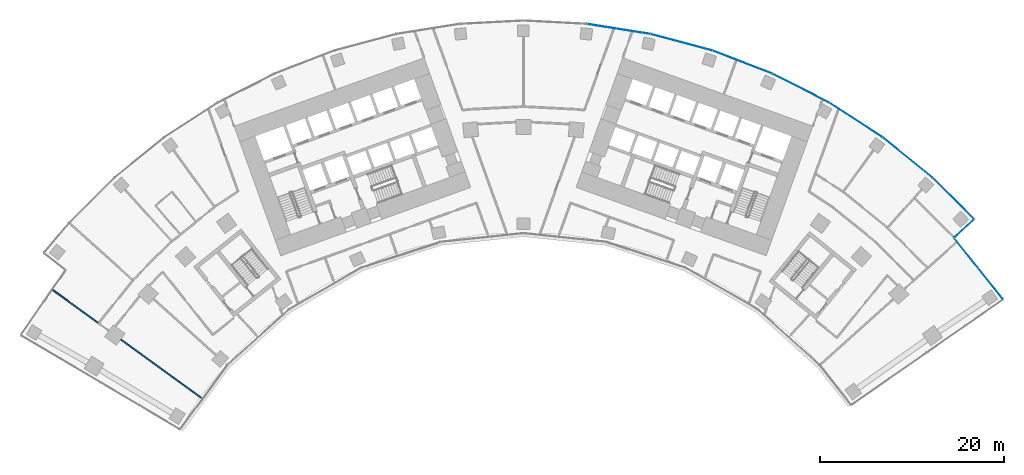
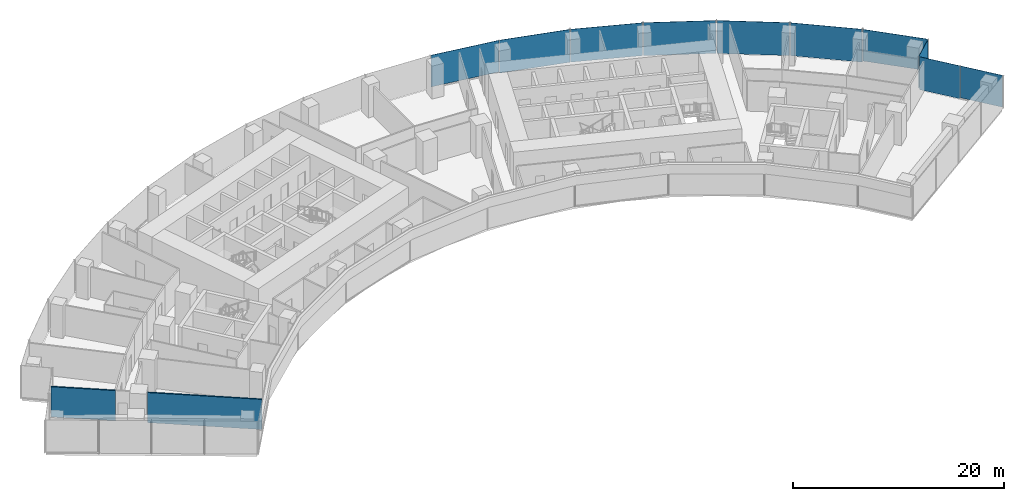
# One storey, part 13 of 21: 10 plates, 2 walls, 3 elements without a shape of their own.
"""IFC4 building model written with IfcOpenShell, lengths in metres."""

import ifcopenshell
import ifcopenshell.guid

model = None  # the IFC model being written
_history = None  # IfcOwnerHistory: only IFC2X3 demands one
_inside = {}  # id of a spatial element -> (the spatial element, [elements in it])
_under = {}  # id of a project, library or spatial element -> (it, [spatial elements below it])
_declared = {}  # id of a project -> (the project, [libraries it declares])
_typed = {}  # id of a type object -> (the type object, [elements of that type])
_made_of = {}  # id of a material, layer set ... -> (it, [elements and type objects made of it])


def new_model(schema):
    """Start an empty IFC model of exactly this schema.

    Asked for "IFC4X3", IfcOpenShell would pick the latest addendum, in which some entities
    have other attributes; the version numbers below select the first issue.
    IFC2X3 requires an IfcOwnerHistory on every rooted entity: one is made here for all.
    """
    global model, _history
    if schema == "IFC4X3":
        model = ifcopenshell.file(schema_version=(4, 3, 0, 0))
    else:
        model = ifcopenshell.file(schema=schema)
    _inside.clear()
    _under.clear()
    _declared.clear()
    _typed.clear()
    _made_of.clear()
    _history = None
    if model.schema == "IFC2X3":
        org = make("IfcOrganization", Name="unknown")
        user = make(
            "IfcPersonAndOrganization",
            ThePerson=make("IfcPerson", FamilyName="unknown"),
            TheOrganization=org,
        )
        app = make(
            "IfcApplication",
            ApplicationDeveloper=org,
            Version="unknown",
            ApplicationFullName="unknown",
            ApplicationIdentifier="unknown",
        )
        _history = make(
            "IfcOwnerHistory",
            OwningUser=user,
            OwningApplication=app,
            ChangeAction="ADDED",
            CreationDate=0,
        )
    return model


def make(cls, **values):
    """One entity of the class cls with the attributes given. An attribute that is None is left unset."""
    return model.create_entity(
        cls, **{name: value for name, value in values.items() if value is not None}
    )


def rooted(cls, **values):
    """An entity with a GlobalId (a new one), such as an element, a storey or a relation."""
    return make(cls, GlobalId=ifcopenshell.guid.new(), OwnerHistory=_history, **values)


def si_unit(unit_type, name, prefix=None):
    """IfcSIUnit, for example si_unit("LENGTHUNIT", "METRE", prefix="MILLI")."""
    return make("IfcSIUnit", UnitType=unit_type, Prefix=prefix, Name=name)


def assignment(units):
    """IfcUnitAssignment: the units of a project."""
    return None if units is None else make("IfcUnitAssignment", Units=units)


def point(xyz):
    """IfcCartesianPoint."""
    return None if xyz is None else make("IfcCartesianPoint", Coordinates=xyz)


def direction(xyz):
    """IfcDirection."""
    return None if xyz is None else make("IfcDirection", DirectionRatios=xyz)


def frame(location, z_axis=None, x_axis=None):
    """IfcAxis2Placement3D, a coordinate frame: its origin and axes. An axis left out is left unset."""
    return make(
        "IfcAxis2Placement3D",
        Location=point(location),
        Axis=direction(z_axis),
        RefDirection=direction(x_axis),
    )


def frame_2d(location, x_axis=None):
    """IfcAxis2Placement2D, a coordinate frame in the plane: its origin and x axis."""
    return make(
        "IfcAxis2Placement2D", Location=point(location), RefDirection=direction(x_axis)
    )


def origin():
    """The frame at (0, 0, 0) with its axes left unset."""
    return frame((0.0, 0.0, 0.0))


def origin_2d():
    """The frame at (0, 0) in the plane with its x axis left unset."""
    return frame_2d((0.0, 0.0))


def place(relative_to, where):
    """IfcLocalPlacement: puts the frame where relative to a parent placement (None: the world)."""
    return make(
        "IfcLocalPlacement", PlacementRelTo=relative_to, RelativePlacement=where
    )


def context(
    kind, dimensions, precision=None, world=None, true_north=None, identifier=None
):
    """IfcGeometricRepresentationContext, for example the 3D "Model" context."""
    return make(
        "IfcGeometricRepresentationContext",
        ContextIdentifier=identifier,
        ContextType=kind,
        CoordinateSpaceDimension=dimensions,
        Precision=precision,
        WorldCoordinateSystem=world,
        TrueNorth=true_north,
    )


def subcontext(parent, identifier, kind, view, scale=None):
    """IfcGeometricRepresentationSubContext, for example "Body" below "Model"."""
    return make(
        "IfcGeometricRepresentationSubContext",
        ContextIdentifier=identifier,
        ContextType=kind,
        ParentContext=parent,
        TargetScale=scale,
        TargetView=view,
    )


def project(units=None, contexts=None):
    """IfcProject with its units and contexts."""
    return rooted(
        "IfcProject",
        Name="project",
        RepresentationContexts=contexts,
        UnitsInContext=assignment(units),
    )


def spatial(cls, under=None, at=None, **own):
    """A site, building, storey or space (cls), placed at a placement, below another one or the project."""
    s = rooted(cls, ObjectPlacement=at, **own)
    if under is not None:
        _under.setdefault(under.id(), (under, []))[1].append(s)
    return s


def profile(cls, at=None, kind="AREA", **sizes):
    """A parametric profile (cls). Its sizes go by their IFC names, for example OverallWidth=200.0."""
    return make(cls, ProfileType=kind, Position=at, **sizes)


def rectangle(**sizes):
    """IfcRectangleProfileDef."""
    return profile("IfcRectangleProfileDef", **sizes)


def extrude(swept, where, along, depth):
    """IfcExtrudedAreaSolid: the profile swept, set in the frame where, extruded along a direction by depth."""
    return make(
        "IfcExtrudedAreaSolid",
        SweptArea=swept,
        Position=where,
        ExtrudedDirection=direction(along),
        Depth=depth,
    )


def shape(context_of_items, identifier, shape_type, items):
    """IfcShapeRepresentation: the items that make up one representation, for example the "Body"."""
    return make(
        "IfcShapeRepresentation",
        ContextOfItems=context_of_items,
        RepresentationIdentifier=identifier,
        RepresentationType=shape_type,
        Items=items,
    )


def material(Name=None, Category=None):
    """IfcMaterial."""
    return make("IfcMaterial", Name=Name, Category=Category)


def layer(
    of_material, thickness, ventilated=None, Name=None, Category=None, Priority=None
):
    """IfcMaterialLayer: one layer of a wall or slab, of a material (None: an air gap)."""
    return make(
        "IfcMaterialLayer",
        Material=of_material,
        LayerThickness=thickness,
        IsVentilated=ventilated,
        Name=Name,
        Category=Category,
        Priority=Priority,
    )


def layer_set(layers, Name=None):
    """IfcMaterialLayerSet."""
    return make("IfcMaterialLayerSet", MaterialLayers=layers, LayerSetName=Name)


def made_of(thing, what):
    """Note that an element or type object is made of a material, layer set ...; save() writes the relation."""
    if what is not None:
        _made_of.setdefault(what.id(), (what, []))[1].append(thing)
    return thing


def type_object(cls, material=None, **own):
    """A type object (cls), such as IfcWallType, which elements share."""
    return made_of(rooted(cls, **own), material)


def element(
    cls,
    number,
    at=None,
    inside=None,
    cuts=None,
    type_object=None,
    material=None,
    context=None,
    identifier="Body",
    shape_type=None,
    held_by="IfcProductDefinitionShape",
    body=None,
    shapes=None,
    **own,
):
    """One element of the class cls, such as IfcWall. Its Tag is "e" and its number.

    at: its placement. inside: the storey or other place that contains it. cuts: it is an
    opening in that element (IfcRelVoidsElement). A single representation is given by context,
    identifier, shape_type and body (its items); several are given by shapes. held_by: the class
    of the entity that holds the representations. save() writes the other relations.
    """
    e = rooted(cls, Tag="e%d" % number, ObjectPlacement=at, **own)
    if body is not None:
        shapes = [shape(context, identifier, shape_type, body)]
    if shapes is not None:
        e.Representation = make(held_by, Representations=shapes)
    if inside is not None:
        _inside.setdefault(inside.id(), (inside, []))[1].append(e)
    if cuts is not None:
        rooted(
            "IfcRelVoidsElement", RelatingBuildingElement=cuts, RelatedOpeningElement=e
        )
    if type_object is not None:
        _typed.setdefault(type_object.id(), (type_object, []))[1].append(e)
    return made_of(e, material)


def aggregate(whole, parts):
    """IfcRelAggregates: a whole, such as a stair, and the parts it consists of."""
    return rooted("IfcRelAggregates", RelatingObject=whole, RelatedObjects=parts)


def save(model, path):
    """Write the relations noted so far, then the file.

    IfcRelAggregates (storeys below a building ...), IfcRelContainedInSpatialStructure (elements
    in a storey), IfcRelDefinesByType, IfcRelAssociatesMaterial and IfcRelDeclares: one each for
    every whole, place, type object, material and project.
    """
    for whole, parts in _under.values():
        aggregate(whole, parts)
    for where, things in _inside.values():
        rooted(
            "IfcRelContainedInSpatialStructure",
            RelatedElements=things,
            RelatingStructure=where,
        )
    for kind, things in _typed.values():
        rooted("IfcRelDefinesByType", RelatedObjects=things, RelatingType=kind)
    for what, things in _made_of.values():
        rooted("IfcRelAssociatesMaterial", RelatedObjects=things, RelatingMaterial=what)
    for by, libraries in _declared.values():
        rooted("IfcRelDeclares", RelatingContext=by, RelatedDefinitions=libraries)
    model.write(path)


model = new_model("IFC4")

# Units and contexts
model_context = context("Model", 3, precision=1e-05, world=origin(), true_north=direction((0.0, 1.0)))
body_context = subcontext(model_context, "Body", "Model", "MODEL_VIEW")
ifc_project = project(units=[si_unit("LENGTHUNIT", "METRE"), si_unit("AREAUNIT", "SQUARE_METRE"), si_unit("VOLUMEUNIT", "CUBIC_METRE"), si_unit("PLANEANGLEUNIT", "RADIAN"), si_unit("MASSUNIT", "GRAM", prefix="KILO")], contexts=[model_context])

# Site, building, storey
site_placement = place(None, origin())
site = spatial("IfcSite", under=ifc_project, at=site_placement, CompositionType="ELEMENT")
building_placement = place(site_placement, origin())
building = spatial("IfcBuilding", under=site, at=building_placement, Name="Stone Belt Terrace Tower", CompositionType="ELEMENT")
storey_placement = place(building_placement, frame((0.0, 0.0, 60.39990234375)))
storey = spatial("IfcBuildingStorey", under=building, at=storey_placement, Name="L14", CompositionType="ELEMENT", Elevation=60.39990234375)

# Curtain wall, plates
ifc_material_1 = material(Name="Aluminium 6063-T6 anodised frame", Category="aluminium")
ifc_layer_1 = layer(ifc_material_1, 0.14990234375)
ifc_layer_set_1 = layer_set([ifc_layer_1], Name="CW-A unitised convex-face curtain wall")
curtain_wall_type_1 = type_object("IfcCurtainWallType", Name="CW-A unitised convex-face curtain wall", PredefinedType="NOTDEFINED", material=ifc_layer_set_1)
curtain_wall_1_placement = place(storey_placement, origin())
curtain_wall_1 = element("IfcCurtainWall", 1, at=curtain_wall_1_placement, inside=storey, type_object=curtain_wall_type_1, Name="CW-A convex face L14", PredefinedType="NOTDEFINED")
ifc_material_2 = material(Name="Clear double glazed unit")
ifc_layer_2 = layer(ifc_material_2, 0.031982421875)
ifc_layer_set_2 = layer_set([ifc_layer_2], Name="CW-A glass panel 32")
plate_type_1 = type_object("IfcPlateType", Name="CW-A glass panel 32", PredefinedType="CURTAIN_PANEL", material=ifc_layer_set_2)
plate_1_placement = place(storey_placement, frame((46.811279296875, 47.232421875, 0.14013671875), z_axis=(0.0, 0.0, 1.0), x_axis=(-0.710443481945, 0.703754260351, 0.0)))
plate_1 = element("IfcPlate", 2, at=plate_1_placement, type_object=plate_type_1, Name="CW-A panel 1.1", PredefinedType="CURTAIN_PANEL", context=body_context, shape_type="SweptSolid", body=[
    extrude(rectangle(XDim=6.30615234375, YDim=0.031982421875, at=origin_2d()), origin(), (0.0, 0.0, 1.0), 3.659912109375),
])
plate_2_placement = place(storey_placement, frame((41.839599609375, 51.667724609375, 0.0), z_axis=(0.0, 0.0, 1.0), x_axis=(-0.777145961457, 0.62932039105, 0.0)))
plate_2 = element("IfcPlate", 3, at=plate_2_placement, type_object=plate_type_1, Name="CW-A panel 2.1", PredefinedType="CURTAIN_PANEL", context=body_context, shape_type="SweptSolid", body=[
    extrude(rectangle(XDim=6.90087890625, YDim=0.031982421875, at=origin_2d()), origin(), (0.0, 0.0, 1.0), 3.800048828125),
])
plate_3_placement = place(storey_placement, frame((36.209716796875, 55.758056640625, 0.0), z_axis=(0.0, 0.0, 1.0), x_axis=(-0.838670567945, 0.544639035015, 0.0)))
plate_3 = element("IfcPlate", 4, at=plate_3_placement, type_object=plate_type_1, Name="CW-A panel 3.1", PredefinedType="CURTAIN_PANEL", context=body_context, shape_type="SweptSolid", body=[
    extrude(rectangle(XDim=6.90087890625, YDim=0.031982421875, at=origin_2d()), origin(), (0.0, 0.0, 1.0), 3.800048828125),
])
plate_4_placement = place(storey_placement, frame((30.18310546875, 59.237548828125, 0.0), z_axis=(0.0, 0.0, 1.0), x_axis=(-0.891006524188, 0.45399049974, 0.0)))
plate_4 = element("IfcPlate", 5, at=plate_4_placement, type_object=plate_type_1, Name="CW-A panel 4.1", PredefinedType="CURTAIN_PANEL", context=body_context, shape_type="SweptSolid", body=[
    extrude(rectangle(XDim=6.90087890625, YDim=0.031982421875, at=origin_2d()), origin(), (0.0, 0.0, 1.0), 3.800048828125),
])
plate_5_placement = place(storey_placement, frame((23.82568359375, 62.068115234375, 0.0), z_axis=(0.0, 0.0, 1.0), x_axis=(-0.933580426497, 0.358367949545, 0.0)))
plate_5 = element("IfcPlate", 6, at=plate_5_placement, type_object=plate_type_1, Name="CW-A panel 5.1", PredefinedType="CURTAIN_PANEL", context=body_context, shape_type="SweptSolid", body=[
    extrude(rectangle(XDim=6.90087890625, YDim=0.031982421875, at=origin_2d()), origin(), (0.0, 0.0, 1.0), 3.800048828125),
])
plate_6_placement = place(storey_placement, frame((17.207275390625, 64.218505859375, 0.0), z_axis=(0.0, 0.0, 1.0), x_axis=(-0.965925826289, 0.258819045103, 0.0)))
plate_6 = element("IfcPlate", 7, at=plate_6_placement, type_object=plate_type_1, Name="CW-A panel 6.1", PredefinedType="CURTAIN_PANEL", context=body_context, shape_type="SweptSolid", body=[
    extrude(rectangle(XDim=6.90087890625, YDim=0.031982421875, at=origin_2d()), origin(), (0.0, 0.0, 1.0), 3.800048828125),
])
plate_7_placement = place(storey_placement, frame((10.400390625, 65.665283203125, 0.14013671875), z_axis=(0.0, 0.0, 1.0), x_axis=(-0.987688340595, 0.15643446504, 0.0)))
plate_7 = element("IfcPlate", 8, at=plate_7_placement, type_object=plate_type_1, Name="CW-A panel 7.1", PredefinedType="CURTAIN_PANEL", context=body_context, shape_type="SweptSolid", body=[
    extrude(rectangle(XDim=6.90087890625, YDim=0.031982421875, at=origin_2d()), origin(), (0.0, 0.0, 1.0), 3.659912109375),
])
aggregate(curtain_wall_1, [plate_1, plate_2, plate_3, plate_4, plate_5, plate_6, plate_7])

ifc_layer_3 = layer(ifc_material_1, 0.14990234375)
ifc_layer_set_3 = layer_set([ifc_layer_3], Name="CW-C stick curtain wall, horn ends and notches")
curtain_wall_type_2 = type_object("IfcCurtainWallType", Name="CW-C stick curtain wall, horn ends and notches", PredefinedType="NOTDEFINED", material=ifc_layer_set_3)
curtain_wall_2_placement = place(storey_placement, origin())
curtain_wall_2 = element("IfcCurtainWall", 9, at=curtain_wall_2_placement, inside=storey, type_object=curtain_wall_type_2, Name="CW-C notch face L14", PredefinedType="NOTDEFINED")
ifc_layer_4 = layer(ifc_material_2, 0.028076171875)
ifc_layer_set_4 = layer_set([ifc_layer_4], Name="CW-C glass panel 28")
plate_type_2 = type_object("IfcPlateType", Name="CW-C glass panel 28", PredefinedType="CURTAIN_PANEL", material=ifc_layer_set_4)
plate_8_placement = place(storey_placement, frame((50.87890625, 37.938720703125, 0.1201171875), z_axis=(0.0, 0.0, 1.0), x_axis=(-0.624763912959, 0.780813712139, 0.0)))
plate_8 = element("IfcPlate", 10, at=plate_8_placement, type_object=plate_type_2, Name="CW-C panel 1.1", PredefinedType="CURTAIN_PANEL", context=body_context, shape_type="SweptSolid", body=[
    extrude(rectangle(XDim=4.268798828125, YDim=0.028076171875, at=origin_2d()), origin(), (0.0, 0.0, 1.0), 3.679931640625),
])
plate_9_placement = place(storey_placement, frame((48.220947265625, 41.2607421875, 0.0), z_axis=(0.0, 0.0, 1.0), x_axis=(-0.624763912959, 0.780813712139, 0.0)))
plate_9 = element("IfcPlate", 11, at=plate_9_placement, type_object=plate_type_2, Name="CW-C panel 2.1", PredefinedType="CURTAIN_PANEL", context=body_context, shape_type="SweptSolid", body=[
    extrude(rectangle(XDim=4.12060546875, YDim=0.028076171875, at=origin_2d()), origin(), (0.0, 0.0, 1.0), 3.800048828125),
])
aggregate(curtain_wall_2, [plate_8, plate_9])

# Curtain wall, plate
curtain_wall_3_placement = place(storey_placement, origin())
curtain_wall_3 = element("IfcCurtainWall", 12, at=curtain_wall_3_placement, inside=storey, type_object=curtain_wall_type_2, Name="CW-C notch face L14", PredefinedType="NOTDEFINED")
plate_10_placement = place(storey_placement, frame((47.99560546875, 43.94287109375, 0.1201171875), z_axis=(0.0, 0.0, 1.0), x_axis=(0.736781676311, 0.676130728078, 0.0)))
plate_10 = element("IfcPlate", 13, at=plate_10_placement, type_object=plate_type_2, Name="CW-C panel 1.1", PredefinedType="CURTAIN_PANEL", context=body_context, shape_type="SweptSolid", body=[
    extrude(rectangle(XDim=2.8603515625, YDim=0.028076171875, at=origin_2d()), origin(), (0.0, 0.0, 1.0), 3.679931640625),
])
aggregate(curtain_wall_3, [plate_10])

# Walls
ifc_material_3 = material(Name="Gypsum board partition")
ifc_layer_5 = layer(ifc_material_3, 0.14990234375)
ifc_layer_set_5 = layer_set([ifc_layer_5], Name="PARTITION 150 EI 60")
wall_type = type_object("IfcWallType", Name="PARTITION 150 EI 60", PredefinedType="PARTITIONING", material=ifc_layer_set_5)
wall_1_placement = place(storey_placement, frame((-43.82470703125, 31.83984375, 0.0), z_axis=(0.0, 0.0, 1.0), x_axis=(0.80903281135, -0.587763481478, 0.0)))
element("IfcWall", 14, at=wall_1_placement, inside=storey, type_object=wall_type, Name="L14/wall/i038", PredefinedType="PARTITIONING", context=body_context, shape_type="SweptSolid", body=[
    extrude(rectangle(XDim=10.883544921875, YDim=0.14990234375, at=frame_2d((5.44189453125, 0.0))), origin(), (0.0, 0.0, 1.0), 3.47998046875),
])
wall_2_placement = place(storey_placement, frame((-51.27294921875, 37.251708984375, 0.0), z_axis=(0.0, 0.0, 1.0), x_axis=(0.809013729568, -0.587789745887, 0.0)))
element("IfcWall", 15, at=wall_2_placement, inside=storey, type_object=wall_type, Name="L14/wall/i039", PredefinedType="PARTITIONING", context=body_context, shape_type="SweptSolid", body=[
    extrude(rectangle(XDim=6.157958984375, YDim=0.14990234375, at=frame_2d((3.0791015625, 0.0))), origin(), (0.0, 0.0, 1.0), 3.47998046875),
])

save(model, "model.ifc")
